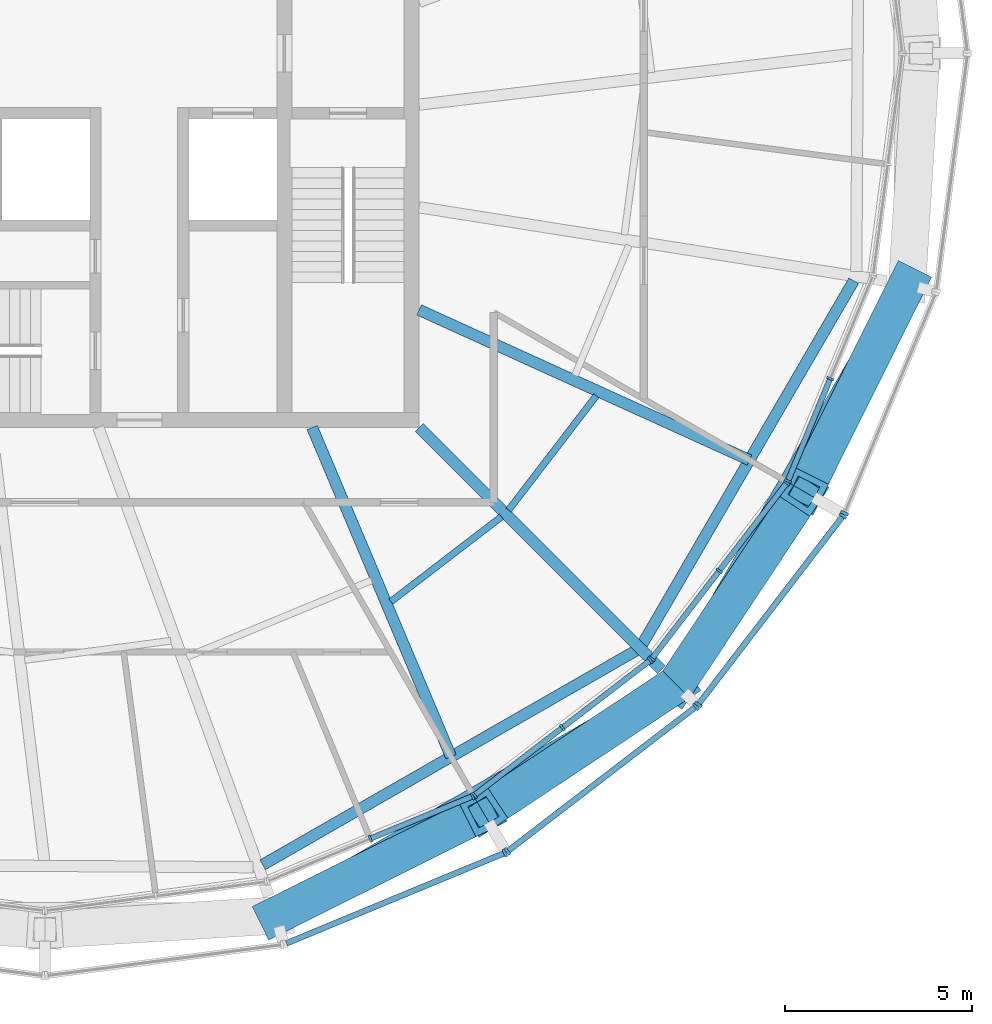
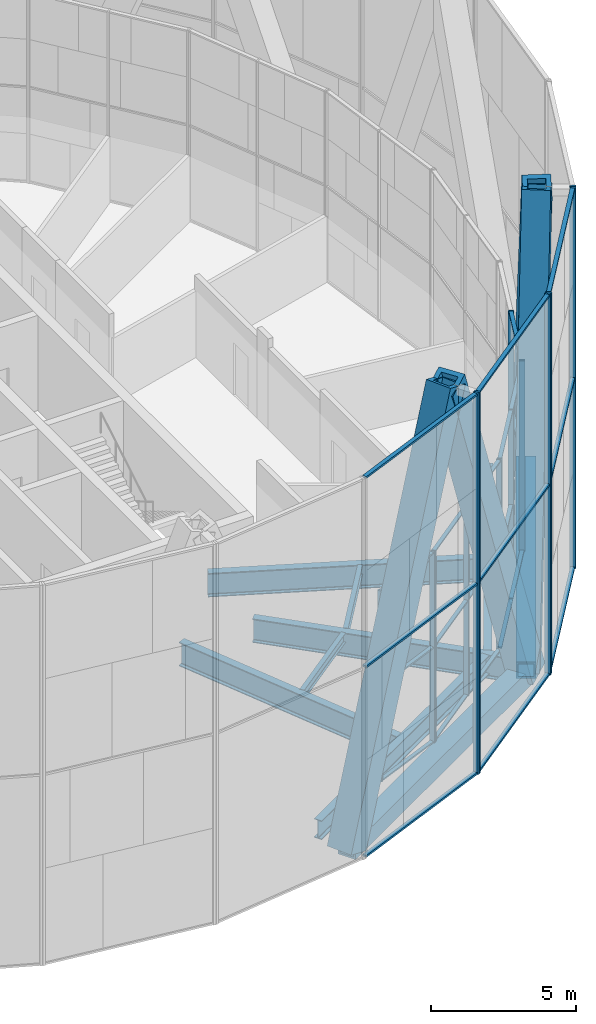
# One storey, part 4 of 23: 47 members, 9 beams, 8 elements without a shape of their own.
"""IFC4 building model written with IfcOpenShell, lengths in metres."""

from ifc_helpers import new_model, si_unit, direction, frame, origin, origin_2d, place, context, subcontext, project, spatial, rectangle, hollow_rectangle, i_section, extrude, material, material_profile, profile_set, type_object, element, aggregate, save


model = new_model("IFC4")

# Units and contexts
model_context = context("Model", 3, precision=1e-05, world=origin(), true_north=direction((0.0, 1.0)))
body_context = subcontext(model_context, "Body", "Model", "MODEL_VIEW")
ifc_project = project(units=[si_unit("LENGTHUNIT", "METRE"), si_unit("AREAUNIT", "SQUARE_METRE"), si_unit("VOLUMEUNIT", "CUBIC_METRE"), si_unit("PLANEANGLEUNIT", "RADIAN"), si_unit("MASSUNIT", "GRAM", prefix="KILO")], contexts=[model_context])

# Site, building, storey
site_placement = place(None, origin())
site = spatial("IfcSite", under=ifc_project, at=site_placement, CompositionType="ELEMENT")
building_placement = place(site_placement, origin())
building = spatial("IfcBuilding", under=site, at=building_placement, Name="Golbaran Civic Tower", CompositionType="ELEMENT")
storey_placement = place(building_placement, frame((0.0, 0.0, 232.0)))
storey = spatial("IfcBuildingStorey", under=building, at=storey_placement, Name="L56", CompositionType="ELEMENT", Elevation=232.0)

# Members
ifc_material_1 = material(Name="Steel S355", Category="steel")
ifc_material_profile_1 = material_profile(ifc_material_1, hollow_rectangle(XDim=1.0, YDim=1.0, WallThickness=0.179931640625, at=origin_2d()), Name="BOX 1000x1000x180")
ifc_profile_set_1 = profile_set([ifc_material_profile_1], Name="Steel S355")
member_type_1 = type_object("IfcMemberType", Name="DIAGRID DIAGONAL BOX 1000x1000x180", PredefinedType="BRACE", material=ifc_profile_set_1)
for number, where, z_axis, x_axis, name in (
    (1, (6.174072265625, -23.042236328125, -0.7099609375), (0.322799502318, 0.160737955962, 0.932718494947), (-0.445744805751, 0.895160079621, 0.0), "Diagonal D13-09R L56-L60"),
    (2, (16.867919921875, -16.867919921875, -0.7099609375), (0.199193188521, 0.300597265987, 0.932718262568), (-0.833589339874, 0.552384659859, 0.0), "Diagonal D13-10R L56-L60"),
    (3, (16.867919921875, -16.867919921875, -0.7099609375), (-0.300597265987, -0.199193188521, 0.932718262568), (0.552384659859, -0.833589339874, 0.0), "Diagonal D13-10L L56-L60"),
    (4, (23.042236328125, -6.174072265625, -0.7099609375), (-0.160737955962, -0.322799502318, 0.932718494947), (0.895160079621, -0.445744805751, 0.0), "Diagonal D13-11L L56-L60"),
):
    element("IfcMember", number, at=place(storey_placement, frame(where, z_axis=z_axis, x_axis=x_axis)), inside=storey, type_object=member_type_1, Name=name, PredefinedType="BRACE", context=body_context, shape_type="SweptSolid", body=[
        extrude(hollow_rectangle(XDim=1.0, YDim=1.0, WallThickness=0.179931640625, at=origin_2d()), origin(), (0.0, 0.0, 1.0), 17.154052734375),
    ])

# Beams
ifc_material_profile_2 = material_profile(ifc_material_1, hollow_rectangle(XDim=0.699951171875, YDim=0.699951171875, WallThickness=0.080078125, at=origin_2d()), Name="BOX 700x700x80")
ifc_profile_set_2 = profile_set([ifc_material_profile_2], Name="Steel S355")
beam_type_1 = type_object("IfcBeamType", Name="DIAGRID RING TIE BOX 700x700x80", PredefinedType="BEAM", material=ifc_profile_set_2)
for number, where, z_axis, x_axis, name in (
    (5, (6.174072265625, -23.042236328125, -0.7099609375), (0.866017668581, 0.500013397526, 0.0), (-0.500013397526, 0.866017668581, 0.0), "Ring tie 285.00 L56"),
    (6, (16.867919921875, -16.867919921875, -0.7099609375), (0.500013397526, 0.866017668581, 0.0), (-0.866017668581, 0.500013397526, 0.0), "Ring tie 315.00 L56"),
):
    element("IfcBeam", number, at=place(storey_placement, frame(where, z_axis=z_axis, x_axis=x_axis)), inside=storey, type_object=beam_type_1, Name=name, PredefinedType="BEAM", context=body_context, shape_type="SweptSolid", body=[
        extrude(hollow_rectangle(XDim=0.699951171875, YDim=0.699951171875, WallThickness=0.080078125, at=origin_2d()), origin(), (0.0, 0.0, 1.0), 12.348388671875),
    ])
ifc_material_profile_3 = material_profile(ifc_material_1, i_section(OverallWidth=0.300048828125, OverallDepth=0.800048828125, WebThickness=0.017578125, FlangeThickness=0.032958984375, FilletRadius=0.030029296875, at=origin_2d()), Name="HEB 800")
ifc_profile_set_3 = profile_set([ifc_material_profile_3], Name="Steel S355")
beam_type_2 = type_object("IfcBeamType", Name="EDGE BEAM HEB 800", PredefinedType="BEAM", material=ifc_profile_set_3)
beam_1_placement = place(storey_placement, frame((5.81884765625, -21.685791015625, -0.60009765625), z_axis=(0.86735383621, 0.49769199593, 0.0), x_axis=(-0.49769199593, 0.86735383621, 0.0)))
element("IfcBeam", 7, at=beam_1_placement, inside=storey, type_object=beam_type_2, Name="Edge beam 285.00 L56", PredefinedType="BEAM", context=body_context, shape_type="SweptSolid", body=[
    extrude(i_section(OverallWidth=0.300048828125, OverallDepth=0.800048828125, WebThickness=0.017578125, FlangeThickness=0.032958984375, FilletRadius=0.030029296875, at=origin_2d()), origin(), (0.0, 0.0, 1.0), 11.489013671875),
])
beam_2_placement = place(storey_placement, frame((15.96826171875, -15.784423828125, -0.60009765625), z_axis=(0.502784867429, 0.864411578523, 0.0), x_axis=(-0.864411578523, 0.502784867429, 0.0)))
element("IfcBeam", 8, at=beam_2_placement, inside=storey, type_object=beam_type_2, Name="Edge beam 315.00 L56", PredefinedType="BEAM", context=body_context, shape_type="SweptSolid", body=[
    extrude(i_section(OverallWidth=0.300048828125, OverallDepth=0.800048828125, WebThickness=0.017578125, FlangeThickness=0.032958984375, FilletRadius=0.030029296875, at=origin_2d()), origin(), (0.0, 0.0, 1.0), 11.2265625),
])
ifc_material_profile_4 = material_profile(ifc_material_1, i_section(OverallWidth=0.179931640625, OverallDepth=0.39990234375, WebThickness=0.008544921875, FlangeThickness=0.013427734375, FilletRadius=0.02099609375, at=origin_2d()), Name="IPE 400")
ifc_profile_set_4 = profile_set([ifc_material_profile_4], Name="Steel S355")
beam_type_3 = type_object("IfcBeamType", Name="FLOOR INFILL BEAM IPE 400", PredefinedType="BEAM", material=ifc_profile_set_4)
beam_3_placement = place(storey_placement, frame((9.24560546875, -14.65185546875, -0.39990234375), z_axis=(0.793376318056, 0.608731482633, 0.0), x_axis=(-0.608731482633, 0.793376318056, 0.0)))
element("IfcBeam", 9, at=beam_3_placement, inside=storey, type_object=beam_type_3, Name="Infill beam 307.50 L56", PredefinedType="BEAM", context=body_context, shape_type="SweptSolid", body=[
    extrude(i_section(OverallWidth=0.179931640625, OverallDepth=0.39990234375, WebThickness=0.008544921875, FlangeThickness=0.013427734375, FilletRadius=0.02099609375, at=origin_2d()), origin(), (0.0, 0.0, 1.0), 3.724609375),
])
beam_4_placement = place(storey_placement, frame((12.390625, -12.206787109375, -0.39990234375), z_axis=(0.608769599383, 0.793347070876, 0.0), x_axis=(-0.793347070876, 0.608769599383, 0.0)))
element("IfcBeam", 10, at=beam_4_placement, inside=storey, type_object=beam_type_3, Name="Infill beam 322.50 L56", PredefinedType="BEAM", context=body_context, shape_type="SweptSolid", body=[
    extrude(i_section(OverallWidth=0.179931640625, OverallDepth=0.39990234375, WebThickness=0.008544921875, FlangeThickness=0.013427734375, FilletRadius=0.02099609375, at=origin_2d()), origin(), (0.0, 0.0, 1.0), 3.850341796875),
])

# Curtain wall, members
ifc_material_2 = material(Name="Aluminium and glass", Category="aluminium")
curtain_wall_type_1 = type_object("IfcCurtainWallType", Name="INNER SKIN CURTAIN WALL EXECUTIVE", PredefinedType="NOTDEFINED", material=ifc_material_2)
curtain_wall_1_placement = place(storey_placement, origin())
curtain_wall_1 = element("IfcCurtainWall", 11, at=curtain_wall_1_placement, inside=storey, type_object=curtain_wall_type_1, Name="Inner skin L56 facet 20 CW2", ObjectType="INNER SKIN", PredefinedType="USERDEFINED")
ifc_material_3 = material(Name="Aluminium", Category="aluminium")
ifc_material_profile_5 = material_profile(ifc_material_3, rectangle(XDim=0.199951171875, YDim=0.06005859375, at=origin_2d()), Name="INNER SKIN CURTAIN WALL EXECUTIVE MULLION")
ifc_profile_set_5 = profile_set([ifc_material_profile_5], Name="Aluminium")
member_type_2 = type_object("IfcMemberType", Name="INNER SKIN CURTAIN WALL EXECUTIVE MULLION", PredefinedType="MULLION", material=ifc_profile_set_5)
member_1_placement = place(storey_placement, frame((8.693359375, -20.98779296875, 0.0), z_axis=(0.0, 0.0, 1.0), x_axis=(-0.382683432365, 0.923879532511, 0.0)))
member_1 = element("IfcMember", 12, at=member_1_placement, type_object=member_type_2, Name="CW2 mullion 2", PredefinedType="MULLION", context=body_context, shape_type="SweptSolid", body=[
    extrude(rectangle(XDim=0.199951171875, YDim=0.06005859375, at=origin_2d()), origin(), (0.0, 0.0, 1.0), 8.0),
])
member_2_placement = place(storey_placement, frame((11.4287109375, -19.854736328125, 0.0), z_axis=(0.0, 0.0, 1.0), x_axis=(-0.382683432365, 0.923879532511, 0.0)))
member_2 = element("IfcMember", 13, at=member_2_placement, type_object=member_type_2, Name="CW2 mullion 3", PredefinedType="MULLION", context=body_context, shape_type="SweptSolid", body=[
    extrude(rectangle(XDim=0.199951171875, YDim=0.06005859375, at=origin_2d()), origin(), (0.0, 0.0, 1.0), 8.0),
])

curtain_wall_2_placement = place(storey_placement, origin())
curtain_wall_2 = element("IfcCurtainWall", 14, at=curtain_wall_2_placement, inside=storey, type_object=curtain_wall_type_1, Name="Inner skin L56 facet 21 CW2", ObjectType="INNER SKIN", PredefinedType="USERDEFINED")
member_3_placement = place(storey_placement, frame((11.480224609375, -19.824951171875, 0.0), z_axis=(0.0, 0.0, 1.0), x_axis=(-0.608761429078, 0.793353340238, 0.0)))
member_3 = element("IfcMember", 15, at=member_3_placement, type_object=member_type_2, Name="CW2 mullion 1", PredefinedType="MULLION", context=body_context, shape_type="SweptSolid", body=[
    extrude(rectangle(XDim=0.199951171875, YDim=0.06005859375, at=origin_2d()), origin(), (0.0, 0.0, 1.0), 8.0),
])
member_4_placement = place(storey_placement, frame((13.8291015625, -18.022705078125, 0.0), z_axis=(0.0, 0.0, 1.0), x_axis=(-0.608761429078, 0.793353340238, 0.0)))
member_4 = element("IfcMember", 16, at=member_4_placement, type_object=member_type_2, Name="CW2 mullion 2", PredefinedType="MULLION", context=body_context, shape_type="SweptSolid", body=[
    extrude(rectangle(XDim=0.199951171875, YDim=0.06005859375, at=origin_2d()), origin(), (0.0, 0.0, 1.0), 8.0),
])
member_5_placement = place(storey_placement, frame((16.17822265625, -16.22021484375, 0.0), z_axis=(0.0, 0.0, 1.0), x_axis=(-0.608761429078, 0.793353340238, 0.0)))
member_5 = element("IfcMember", 17, at=member_5_placement, type_object=member_type_2, Name="CW2 mullion 3", PredefinedType="MULLION", context=body_context, shape_type="SweptSolid", body=[
    extrude(rectangle(XDim=0.199951171875, YDim=0.06005859375, at=origin_2d()), origin(), (0.0, 0.0, 1.0), 8.0),
])

curtain_wall_3_placement = place(storey_placement, origin())
curtain_wall_3 = element("IfcCurtainWall", 18, at=curtain_wall_3_placement, inside=storey, type_object=curtain_wall_type_1, Name="Inner skin L56 facet 22 CW2", ObjectType="INNER SKIN", PredefinedType="USERDEFINED")
member_6_placement = place(storey_placement, frame((16.22021484375, -16.17822265625, 0.0), z_axis=(0.0, 0.0, 1.0), x_axis=(-0.793353340238, 0.608761429078, 0.0)))
member_6 = element("IfcMember", 19, at=member_6_placement, type_object=member_type_2, Name="CW2 mullion 1", PredefinedType="MULLION", context=body_context, shape_type="SweptSolid", body=[
    extrude(rectangle(XDim=0.199951171875, YDim=0.06005859375, at=origin_2d()), origin(), (0.0, 0.0, 1.0), 8.0),
])
member_7_placement = place(storey_placement, frame((18.022705078125, -13.8291015625, 0.0), z_axis=(0.0, 0.0, 1.0), x_axis=(-0.793353340238, 0.608761429078, 0.0)))
member_7 = element("IfcMember", 20, at=member_7_placement, type_object=member_type_2, Name="CW2 mullion 2", PredefinedType="MULLION", context=body_context, shape_type="SweptSolid", body=[
    extrude(rectangle(XDim=0.199951171875, YDim=0.06005859375, at=origin_2d()), origin(), (0.0, 0.0, 1.0), 8.0),
])
member_8_placement = place(storey_placement, frame((19.824951171875, -11.480224609375, 0.0), z_axis=(0.0, 0.0, 1.0), x_axis=(-0.793353340238, 0.608761429078, 0.0)))
member_8 = element("IfcMember", 21, at=member_8_placement, type_object=member_type_2, Name="CW2 mullion 3", PredefinedType="MULLION", context=body_context, shape_type="SweptSolid", body=[
    extrude(rectangle(XDim=0.199951171875, YDim=0.06005859375, at=origin_2d()), origin(), (0.0, 0.0, 1.0), 8.0),
])

curtain_wall_4_placement = place(storey_placement, origin())
curtain_wall_4 = element("IfcCurtainWall", 22, at=curtain_wall_4_placement, inside=storey, type_object=curtain_wall_type_1, Name="Inner skin L56 facet 23 CW2", ObjectType="INNER SKIN", PredefinedType="USERDEFINED")
member_9_placement = place(storey_placement, frame((19.854736328125, -11.4287109375, 0.0), z_axis=(0.0, 0.0, 1.0), x_axis=(-0.923879532511, 0.382683432365, 0.0)))
member_9 = element("IfcMember", 23, at=member_9_placement, type_object=member_type_2, Name="CW2 mullion 1", PredefinedType="MULLION", context=body_context, shape_type="SweptSolid", body=[
    extrude(rectangle(XDim=0.199951171875, YDim=0.06005859375, at=origin_2d()), origin(), (0.0, 0.0, 1.0), 8.0),
])
member_10_placement = place(storey_placement, frame((20.98779296875, -8.693359375, 0.0), z_axis=(0.0, 0.0, 1.0), x_axis=(-0.923879532511, 0.382683432365, 0.0)))
member_10 = element("IfcMember", 24, at=member_10_placement, type_object=member_type_2, Name="CW2 mullion 2", PredefinedType="MULLION", context=body_context, shape_type="SweptSolid", body=[
    extrude(rectangle(XDim=0.199951171875, YDim=0.06005859375, at=origin_2d()), origin(), (0.0, 0.0, 1.0), 8.0),
])

# Member
ifc_material_profile_6 = material_profile(ifc_material_3, rectangle(XDim=0.14990234375, YDim=0.06005859375, at=origin_2d()), Name="INNER SKIN CURTAIN WALL EXECUTIVE TRANSOM")
ifc_profile_set_6 = profile_set([ifc_material_profile_6], Name="Aluminium")
member_type_3 = type_object("IfcMemberType", Name="INNER SKIN CURTAIN WALL EXECUTIVE TRANSOM", PredefinedType="USERDEFINED", material=ifc_profile_set_6)
member_11_placement = place(storey_placement, frame((8.72119140625, -20.976318359375, 0.030029296875), z_axis=(0.923874243896, 0.382696199963, 0.0), x_axis=(-0.382696199963, 0.923874243896, 0.0)))
member_11 = element("IfcMember", 25, at=member_11_placement, type_object=member_type_3, Name="CW2 transom 2.1", ObjectType="TRANSOM", PredefinedType="USERDEFINED", context=body_context, shape_type="SweptSolid", body=[
    extrude(rectangle(XDim=0.14990234375, YDim=0.06005859375, at=origin_2d()), origin(), (0.0, 0.0, 1.0), 2.900634765625),
])

member_12_placement = place(storey_placement, frame((8.72119140625, -20.976318359375, 4.0), z_axis=(0.923874243896, 0.382696199963, 0.0), x_axis=(-0.382696199963, 0.923874243896, 0.0)))
member_12 = element("IfcMember", 26, at=member_12_placement, type_object=member_type_3, Name="CW2 transom 2.2", ObjectType="TRANSOM", PredefinedType="USERDEFINED", context=body_context, shape_type="SweptSolid", body=[
    extrude(rectangle(XDim=0.14990234375, YDim=0.06005859375, at=origin_2d()), origin(), (0.0, 0.0, 1.0), 2.900634765625),
])

member_13_placement = place(storey_placement, frame((8.72119140625, -20.976318359375, 7.969970703125), z_axis=(0.923874243896, 0.382696199963, 0.0), x_axis=(-0.382696199963, 0.923874243896, 0.0)))
member_13 = element("IfcMember", 27, at=member_13_placement, type_object=member_type_3, Name="CW2 transom 2.3", ObjectType="TRANSOM", PredefinedType="USERDEFINED", context=body_context, shape_type="SweptSolid", body=[
    extrude(rectangle(XDim=0.14990234375, YDim=0.06005859375, at=origin_2d()), origin(), (0.0, 0.0, 1.0), 2.900634765625),
])

aggregate(curtain_wall_1, [member_1, member_2, member_11, member_12, member_13])

member_14_placement = place(storey_placement, frame((11.504150390625, -19.806640625, 0.030029296875), z_axis=(0.793346193695, 0.608770742521, 0.0), x_axis=(-0.608770742521, 0.793346193695, 0.0)))
member_14 = element("IfcMember", 28, at=member_14_placement, type_object=member_type_3, Name="CW2 transom 1.1", ObjectType="TRANSOM", PredefinedType="USERDEFINED", context=body_context, shape_type="SweptSolid", body=[
    extrude(rectangle(XDim=0.14990234375, YDim=0.06005859375, at=origin_2d()), origin(), (0.0, 0.0, 1.0), 2.900634765625),
])

member_15_placement = place(storey_placement, frame((11.504150390625, -19.806640625, 4.0), z_axis=(0.793346193695, 0.608770742521, 0.0), x_axis=(-0.608770742521, 0.793346193695, 0.0)))
member_15 = element("IfcMember", 29, at=member_15_placement, type_object=member_type_3, Name="CW2 transom 1.2", ObjectType="TRANSOM", PredefinedType="USERDEFINED", context=body_context, shape_type="SweptSolid", body=[
    extrude(rectangle(XDim=0.14990234375, YDim=0.06005859375, at=origin_2d()), origin(), (0.0, 0.0, 1.0), 2.900634765625),
])

member_16_placement = place(storey_placement, frame((11.504150390625, -19.806640625, 7.969970703125), z_axis=(0.793346193695, 0.608770742521, 0.0), x_axis=(-0.608770742521, 0.793346193695, 0.0)))
member_16 = element("IfcMember", 30, at=member_16_placement, type_object=member_type_3, Name="CW2 transom 1.3", ObjectType="TRANSOM", PredefinedType="USERDEFINED", context=body_context, shape_type="SweptSolid", body=[
    extrude(rectangle(XDim=0.14990234375, YDim=0.06005859375, at=origin_2d()), origin(), (0.0, 0.0, 1.0), 2.900634765625),
])

member_17_placement = place(storey_placement, frame((13.85302734375, -18.00439453125, 0.030029296875), z_axis=(0.793346193695, 0.608770742521, 0.0), x_axis=(-0.608770742521, 0.793346193695, 0.0)))
member_17 = element("IfcMember", 31, at=member_17_placement, type_object=member_type_3, Name="CW2 transom 2.1", ObjectType="TRANSOM", PredefinedType="USERDEFINED", context=body_context, shape_type="SweptSolid", body=[
    extrude(rectangle(XDim=0.14990234375, YDim=0.06005859375, at=origin_2d()), origin(), (0.0, 0.0, 1.0), 2.900634765625),
])

member_18_placement = place(storey_placement, frame((13.85302734375, -18.00439453125, 4.0), z_axis=(0.793346193695, 0.608770742521, 0.0), x_axis=(-0.608770742521, 0.793346193695, 0.0)))
member_18 = element("IfcMember", 32, at=member_18_placement, type_object=member_type_3, Name="CW2 transom 2.2", ObjectType="TRANSOM", PredefinedType="USERDEFINED", context=body_context, shape_type="SweptSolid", body=[
    extrude(rectangle(XDim=0.14990234375, YDim=0.06005859375, at=origin_2d()), origin(), (0.0, 0.0, 1.0), 2.900634765625),
])

member_19_placement = place(storey_placement, frame((13.85302734375, -18.00439453125, 7.969970703125), z_axis=(0.793346193695, 0.608770742521, 0.0), x_axis=(-0.608770742521, 0.793346193695, 0.0)))
member_19 = element("IfcMember", 33, at=member_19_placement, type_object=member_type_3, Name="CW2 transom 2.3", ObjectType="TRANSOM", PredefinedType="USERDEFINED", context=body_context, shape_type="SweptSolid", body=[
    extrude(rectangle(XDim=0.14990234375, YDim=0.06005859375, at=origin_2d()), origin(), (0.0, 0.0, 1.0), 2.900634765625),
])

aggregate(curtain_wall_2, [member_3, member_4, member_5, member_14, member_15, member_16, member_17, member_18, member_19])

member_20_placement = place(storey_placement, frame((16.238525390625, -16.154296875, 0.030029296875), z_axis=(0.608770742521, 0.793346193695, 0.0), x_axis=(-0.793346193695, 0.608770742521, 0.0)))
member_20 = element("IfcMember", 34, at=member_20_placement, type_object=member_type_3, Name="CW2 transom 1.1", ObjectType="TRANSOM", PredefinedType="USERDEFINED", context=body_context, shape_type="SweptSolid", body=[
    extrude(rectangle(XDim=0.14990234375, YDim=0.06005859375, at=origin_2d()), origin(), (0.0, 0.0, 1.0), 2.900634765625),
])

member_21_placement = place(storey_placement, frame((16.238525390625, -16.154296875, 4.0), z_axis=(0.608770742521, 0.793346193695, 0.0), x_axis=(-0.793346193695, 0.608770742521, 0.0)))
member_21 = element("IfcMember", 35, at=member_21_placement, type_object=member_type_3, Name="CW2 transom 1.2", ObjectType="TRANSOM", PredefinedType="USERDEFINED", context=body_context, shape_type="SweptSolid", body=[
    extrude(rectangle(XDim=0.14990234375, YDim=0.06005859375, at=origin_2d()), origin(), (0.0, 0.0, 1.0), 2.900634765625),
])

member_22_placement = place(storey_placement, frame((16.238525390625, -16.154296875, 7.969970703125), z_axis=(0.608770742521, 0.793346193695, 0.0), x_axis=(-0.793346193695, 0.608770742521, 0.0)))
member_22 = element("IfcMember", 36, at=member_22_placement, type_object=member_type_3, Name="CW2 transom 1.3", ObjectType="TRANSOM", PredefinedType="USERDEFINED", context=body_context, shape_type="SweptSolid", body=[
    extrude(rectangle(XDim=0.14990234375, YDim=0.06005859375, at=origin_2d()), origin(), (0.0, 0.0, 1.0), 2.900634765625),
])

member_23_placement = place(storey_placement, frame((18.040771484375, -13.805419921875, 0.030029296875), z_axis=(0.608770742521, 0.793346193695, 0.0), x_axis=(-0.793346193695, 0.608770742521, 0.0)))
member_23 = element("IfcMember", 37, at=member_23_placement, type_object=member_type_3, Name="CW2 transom 2.1", ObjectType="TRANSOM", PredefinedType="USERDEFINED", context=body_context, shape_type="SweptSolid", body=[
    extrude(rectangle(XDim=0.14990234375, YDim=0.06005859375, at=origin_2d()), origin(), (0.0, 0.0, 1.0), 2.900634765625),
])

member_24_placement = place(storey_placement, frame((18.040771484375, -13.805419921875, 4.0), z_axis=(0.608770742521, 0.793346193695, 0.0), x_axis=(-0.793346193695, 0.608770742521, 0.0)))
member_24 = element("IfcMember", 38, at=member_24_placement, type_object=member_type_3, Name="CW2 transom 2.2", ObjectType="TRANSOM", PredefinedType="USERDEFINED", context=body_context, shape_type="SweptSolid", body=[
    extrude(rectangle(XDim=0.14990234375, YDim=0.06005859375, at=origin_2d()), origin(), (0.0, 0.0, 1.0), 2.900634765625),
])

member_25_placement = place(storey_placement, frame((18.040771484375, -13.805419921875, 7.969970703125), z_axis=(0.608770742521, 0.793346193695, 0.0), x_axis=(-0.793346193695, 0.608770742521, 0.0)))
member_25 = element("IfcMember", 39, at=member_25_placement, type_object=member_type_3, Name="CW2 transom 2.3", ObjectType="TRANSOM", PredefinedType="USERDEFINED", context=body_context, shape_type="SweptSolid", body=[
    extrude(rectangle(XDim=0.14990234375, YDim=0.06005859375, at=origin_2d()), origin(), (0.0, 0.0, 1.0), 2.900634765625),
])

aggregate(curtain_wall_3, [member_6, member_7, member_8, member_20, member_21, member_22, member_23, member_24, member_25])

member_26_placement = place(storey_placement, frame((19.8662109375, -11.401123046875, 0.030029296875), z_axis=(0.382696199963, 0.923874243896, 0.0), x_axis=(-0.923874243896, 0.382696199963, 0.0)))
member_26 = element("IfcMember", 40, at=member_26_placement, type_object=member_type_3, Name="CW2 transom 1.1", ObjectType="TRANSOM", PredefinedType="USERDEFINED", context=body_context, shape_type="SweptSolid", body=[
    extrude(rectangle(XDim=0.14990234375, YDim=0.06005859375, at=origin_2d()), origin(), (0.0, 0.0, 1.0), 2.900634765625),
])

member_27_placement = place(storey_placement, frame((19.8662109375, -11.401123046875, 4.0), z_axis=(0.382696199963, 0.923874243896, 0.0), x_axis=(-0.923874243896, 0.382696199963, 0.0)))
member_27 = element("IfcMember", 41, at=member_27_placement, type_object=member_type_3, Name="CW2 transom 1.2", ObjectType="TRANSOM", PredefinedType="USERDEFINED", context=body_context, shape_type="SweptSolid", body=[
    extrude(rectangle(XDim=0.14990234375, YDim=0.06005859375, at=origin_2d()), origin(), (0.0, 0.0, 1.0), 2.900634765625),
])

member_28_placement = place(storey_placement, frame((19.8662109375, -11.401123046875, 7.969970703125), z_axis=(0.382696199963, 0.923874243896, 0.0), x_axis=(-0.923874243896, 0.382696199963, 0.0)))
member_28 = element("IfcMember", 42, at=member_28_placement, type_object=member_type_3, Name="CW2 transom 1.3", ObjectType="TRANSOM", PredefinedType="USERDEFINED", context=body_context, shape_type="SweptSolid", body=[
    extrude(rectangle(XDim=0.14990234375, YDim=0.06005859375, at=origin_2d()), origin(), (0.0, 0.0, 1.0), 2.900634765625),
])

aggregate(curtain_wall_4, [member_9, member_10, member_26, member_27, member_28])

# Curtain wall, member
curtain_wall_type_2 = type_object("IfcCurtainWallType", Name="OUTER SKIN TERRACOTTA SCREEN", PredefinedType="NOTDEFINED", material=ifc_material_2)
curtain_wall_5_placement = place(storey_placement, origin())
curtain_wall_5 = element("IfcCurtainWall", 43, at=curtain_wall_5_placement, inside=storey, type_object=curtain_wall_type_2, Name="Outer skin L56 facet 20 CW3", ObjectType="OUTER SKIN", PredefinedType="USERDEFINED")
ifc_material_profile_7 = material_profile(ifc_material_3, rectangle(XDim=0.219970703125, YDim=0.080078125, at=origin_2d()), Name="OUTER SKIN TERRACOTTA SCREEN MULLION")
ifc_profile_set_7 = profile_set([ifc_material_profile_7], Name="Aluminium")
member_type_4 = type_object("IfcMemberType", Name="OUTER SKIN TERRACOTTA SCREEN MULLION", PredefinedType="MULLION", material=ifc_profile_set_7)
member_29_placement = place(storey_placement, frame((12.29052734375, -21.3671875, -0.7099609375), z_axis=(0.0, 0.0, 1.0), x_axis=(-0.382683432381, 0.923879532505, 0.0)))
member_29 = element("IfcMember", 44, at=member_29_placement, type_object=member_type_4, Name="CW3 mullion 2", PredefinedType="MULLION", context=body_context, shape_type="SweptSolid", body=[
    extrude(rectangle(XDim=0.219970703125, YDim=0.080078125, at=origin_2d()), origin(), (0.0, 0.0, 1.0), 16.0),
])

# Curtain wall, members
curtain_wall_6_placement = place(storey_placement, origin())
curtain_wall_6 = element("IfcCurtainWall", 45, at=curtain_wall_6_placement, inside=storey, type_object=curtain_wall_type_2, Name="Outer skin L56 facet 21 CW3", ObjectType="OUTER SKIN", PredefinedType="USERDEFINED")
member_30_placement = place(storey_placement, frame((12.359130859375, -21.327392578125, -0.7099609375), z_axis=(0.0, 0.0, 1.0), x_axis=(-0.608761429009, 0.793353340291, 0.0)))
member_30 = element("IfcMember", 46, at=member_30_placement, type_object=member_type_4, Name="CW3 mullion 1", PredefinedType="MULLION", context=body_context, shape_type="SweptSolid", body=[
    extrude(rectangle(XDim=0.219970703125, YDim=0.080078125, at=origin_2d()), origin(), (0.0, 0.0, 1.0), 16.0),
])
member_31_placement = place(storey_placement, frame((17.402099609375, -17.4580078125, -0.7099609375), z_axis=(0.0, 0.0, 1.0), x_axis=(-0.608761429009, 0.793353340291, 0.0)))
member_31 = element("IfcMember", 47, at=member_31_placement, type_object=member_type_4, Name="CW3 mullion 2", PredefinedType="MULLION", context=body_context, shape_type="SweptSolid", body=[
    extrude(rectangle(XDim=0.219970703125, YDim=0.080078125, at=origin_2d()), origin(), (0.0, 0.0, 1.0), 16.0),
])

curtain_wall_7_placement = place(storey_placement, origin())
curtain_wall_7 = element("IfcCurtainWall", 48, at=curtain_wall_7_placement, inside=storey, type_object=curtain_wall_type_2, Name="Outer skin L56 facet 22 CW3", ObjectType="OUTER SKIN", PredefinedType="USERDEFINED")
member_32_placement = place(storey_placement, frame((17.4580078125, -17.402099609375, -0.7099609375), z_axis=(0.0, 0.0, 1.0), x_axis=(-0.793353340291, 0.608761429009, 0.0)))
member_32 = element("IfcMember", 49, at=member_32_placement, type_object=member_type_4, Name="CW3 mullion 1", PredefinedType="MULLION", context=body_context, shape_type="SweptSolid", body=[
    extrude(rectangle(XDim=0.219970703125, YDim=0.080078125, at=origin_2d()), origin(), (0.0, 0.0, 1.0), 16.0),
])
member_33_placement = place(storey_placement, frame((21.327392578125, -12.359130859375, -0.7099609375), z_axis=(0.0, 0.0, 1.0), x_axis=(-0.793353340291, 0.608761429009, 0.0)))
member_33 = element("IfcMember", 50, at=member_33_placement, type_object=member_type_4, Name="CW3 mullion 2", PredefinedType="MULLION", context=body_context, shape_type="SweptSolid", body=[
    extrude(rectangle(XDim=0.219970703125, YDim=0.080078125, at=origin_2d()), origin(), (0.0, 0.0, 1.0), 16.0),
])

# Curtain wall, member
curtain_wall_8_placement = place(storey_placement, origin())
curtain_wall_8 = element("IfcCurtainWall", 51, at=curtain_wall_8_placement, inside=storey, type_object=curtain_wall_type_2, Name="Outer skin L56 facet 23 CW3", ObjectType="OUTER SKIN", PredefinedType="USERDEFINED")
member_34_placement = place(storey_placement, frame((21.3671875, -12.29052734375, -0.7099609375), z_axis=(0.0, 0.0, 1.0), x_axis=(-0.923879532505, 0.382683432381, 0.0)))
member_34 = element("IfcMember", 52, at=member_34_placement, type_object=member_type_4, Name="CW3 mullion 1", PredefinedType="MULLION", context=body_context, shape_type="SweptSolid", body=[
    extrude(rectangle(XDim=0.219970703125, YDim=0.080078125, at=origin_2d()), origin(), (0.0, 0.0, 1.0), 16.0),
])
aggregate(curtain_wall_8, [member_34])

# Member
ifc_material_profile_8 = material_profile(ifc_material_3, rectangle(XDim=0.159912109375, YDim=0.080078125, at=origin_2d()), Name="OUTER SKIN TERRACOTTA SCREEN TRANSOM")
ifc_profile_set_8 = profile_set([ifc_material_profile_8], Name="Aluminium")
member_type_5 = type_object("IfcMemberType", Name="OUTER SKIN TERRACOTTA SCREEN TRANSOM", PredefinedType="USERDEFINED", material=ifc_profile_set_8)
member_35_placement = place(storey_placement, frame((6.455078125, -23.7841796875, -0.669921875), z_axis=(0.923893096707, 0.382650683858, 0.0), x_axis=(-0.382650683858, 0.923893096707, 0.0)))
member_35 = element("IfcMember", 53, at=member_35_placement, type_object=member_type_5, Name="CW3 transom 1.1", ObjectType="TRANSOM", PredefinedType="USERDEFINED", context=body_context, shape_type="SweptSolid", body=[
    extrude(rectangle(XDim=0.159912109375, YDim=0.080078125, at=origin_2d()), origin(), (0.0, 0.0, 1.0), 6.2763671875),
])

member_36_placement = place(storey_placement, frame((6.455078125, -23.7841796875, 7.2900390625), z_axis=(0.923893096707, 0.382650683858, 0.0), x_axis=(-0.382650683858, 0.923893096707, 0.0)))
member_36 = element("IfcMember", 54, at=member_36_placement, type_object=member_type_5, Name="CW3 transom 1.2", ObjectType="TRANSOM", PredefinedType="USERDEFINED", context=body_context, shape_type="SweptSolid", body=[
    extrude(rectangle(XDim=0.159912109375, YDim=0.080078125, at=origin_2d()), origin(), (0.0, 0.0, 1.0), 6.2763671875),
])

member_37_placement = place(storey_placement, frame((6.455078125, -23.7841796875, 15.25), z_axis=(0.923893096707, 0.382650683858, 0.0), x_axis=(-0.382650683858, 0.923893096707, 0.0)))
member_37 = element("IfcMember", 55, at=member_37_placement, type_object=member_type_5, Name="CW3 transom 1.3", ObjectType="TRANSOM", PredefinedType="USERDEFINED", context=body_context, shape_type="SweptSolid", body=[
    extrude(rectangle(XDim=0.159912109375, YDim=0.080078125, at=origin_2d()), origin(), (0.0, 0.0, 1.0), 6.2763671875),
])

aggregate(curtain_wall_5, [member_29, member_35, member_36, member_37])

member_38_placement = place(storey_placement, frame((12.390869140625, -21.30322265625, -0.669921875), z_axis=(0.793360878144, 0.608751605362, 0.0), x_axis=(-0.608751605362, 0.793360878144, 0.0)))
member_38 = element("IfcMember", 56, at=member_38_placement, type_object=member_type_5, Name="CW3 transom 1.1", ObjectType="TRANSOM", PredefinedType="USERDEFINED", context=body_context, shape_type="SweptSolid", body=[
    extrude(rectangle(XDim=0.159912109375, YDim=0.080078125, at=origin_2d()), origin(), (0.0, 0.0, 1.0), 6.2763671875),
])

member_39_placement = place(storey_placement, frame((12.390869140625, -21.30322265625, 7.2900390625), z_axis=(0.793360878144, 0.608751605362, 0.0), x_axis=(-0.608751605362, 0.793360878144, 0.0)))
member_39 = element("IfcMember", 57, at=member_39_placement, type_object=member_type_5, Name="CW3 transom 1.2", ObjectType="TRANSOM", PredefinedType="USERDEFINED", context=body_context, shape_type="SweptSolid", body=[
    extrude(rectangle(XDim=0.159912109375, YDim=0.080078125, at=origin_2d()), origin(), (0.0, 0.0, 1.0), 6.2763671875),
])

member_40_placement = place(storey_placement, frame((12.390869140625, -21.30322265625, 15.25), z_axis=(0.793360878144, 0.608751605362, 0.0), x_axis=(-0.608751605362, 0.793360878144, 0.0)))
member_40 = element("IfcMember", 58, at=member_40_placement, type_object=member_type_5, Name="CW3 transom 1.3", ObjectType="TRANSOM", PredefinedType="USERDEFINED", context=body_context, shape_type="SweptSolid", body=[
    extrude(rectangle(XDim=0.159912109375, YDim=0.080078125, at=origin_2d()), origin(), (0.0, 0.0, 1.0), 6.2763671875),
])

aggregate(curtain_wall_6, [member_30, member_31, member_38, member_39, member_40])

member_41_placement = place(storey_placement, frame((17.482421875, -17.370361328125, -0.669921875), z_axis=(0.608751605362, 0.793360878144, 0.0), x_axis=(-0.793360878144, 0.608751605362, 0.0)))
member_41 = element("IfcMember", 59, at=member_41_placement, type_object=member_type_5, Name="CW3 transom 1.1", ObjectType="TRANSOM", PredefinedType="USERDEFINED", context=body_context, shape_type="SweptSolid", body=[
    extrude(rectangle(XDim=0.159912109375, YDim=0.080078125, at=origin_2d()), origin(), (0.0, 0.0, 1.0), 6.2763671875),
])

member_42_placement = place(storey_placement, frame((17.482421875, -17.370361328125, 7.2900390625), z_axis=(0.608751605362, 0.793360878144, 0.0), x_axis=(-0.793360878144, 0.608751605362, 0.0)))
member_42 = element("IfcMember", 60, at=member_42_placement, type_object=member_type_5, Name="CW3 transom 1.2", ObjectType="TRANSOM", PredefinedType="USERDEFINED", context=body_context, shape_type="SweptSolid", body=[
    extrude(rectangle(XDim=0.159912109375, YDim=0.080078125, at=origin_2d()), origin(), (0.0, 0.0, 1.0), 6.2763671875),
])

member_43_placement = place(storey_placement, frame((17.482421875, -17.370361328125, 15.25), z_axis=(0.608751605362, 0.793360878144, 0.0), x_axis=(-0.793360878144, 0.608751605362, 0.0)))
member_43 = element("IfcMember", 61, at=member_43_placement, type_object=member_type_5, Name="CW3 transom 1.3", ObjectType="TRANSOM", PredefinedType="USERDEFINED", context=body_context, shape_type="SweptSolid", body=[
    extrude(rectangle(XDim=0.159912109375, YDim=0.080078125, at=origin_2d()), origin(), (0.0, 0.0, 1.0), 6.2763671875),
])

aggregate(curtain_wall_7, [member_32, member_33, member_41, member_42, member_43])

# Beams
ifc_material_profile_9 = material_profile(ifc_material_1, i_section(OverallWidth=0.300048828125, OverallDepth=1.0, WebThickness=0.01904296875, FlangeThickness=0.035888671875, FilletRadius=0.030029296875, at=origin_2d()), Name="HEB 1000")
ifc_profile_set_9 = profile_set([ifc_material_profile_9], Name="Steel S355")
beam_type_4 = type_object("IfcBeamType", Name="RADIAL FLOOR BEAM HEB 1000", PredefinedType="BEAM", material=ifc_profile_set_9)
beam_5_placement = place(storey_placement, frame((10.0, -10.0, -0.7099609375), z_axis=(0.707106781187, -0.707106781187, 0.0), x_axis=(0.707106781187, 0.707106781187, 0.0)))
element("IfcBeam", 62, at=beam_5_placement, inside=storey, type_object=beam_type_4, Name="Radial beam 315.00 L56", PredefinedType="BEAM", context=body_context, shape_type="SweptSolid", body=[
    extrude(i_section(OverallWidth=0.300048828125, OverallDepth=1.0, WebThickness=0.01904296875, FlangeThickness=0.035888671875, FilletRadius=0.030029296875, at=origin_2d()), origin(), (0.0, 0.0, 1.0), 9.16162109375),
])
ifc_material_profile_10 = material_profile(ifc_material_1, i_section(OverallWidth=0.300048828125, OverallDepth=1.0, WebThickness=0.01904296875, FlangeThickness=0.035888671875, FilletRadius=0.030029296875, at=origin_2d()), Name="HEB 1000")
ifc_profile_set_10 = profile_set([ifc_material_profile_10], Name="Steel S355")
beam_type_5 = type_object("IfcBeamType", Name="SECONDARY FLOOR BEAM HEB 1000", PredefinedType="BEAM", material=ifc_profile_set_10)
beam_6_placement = place(storey_placement, frame((7.142822265625, -10.0, -0.7099609375), z_axis=(0.388551939239, -0.921426823201, 0.0), x_axis=(0.921426823201, 0.388551939239, 0.0)))
element("IfcBeam", 63, at=beam_6_placement, inside=storey, type_object=beam_type_5, Name="Secondary beam 300.00 L56", PredefinedType="BEAM", context=body_context, shape_type="SweptSolid", body=[
    extrude(i_section(OverallWidth=0.300048828125, OverallDepth=1.0, WebThickness=0.01904296875, FlangeThickness=0.035888671875, FilletRadius=0.030029296875, at=origin_2d()), origin(), (0.0, 0.0, 1.0), 9.547607421875),
])
beam_7_placement = place(storey_placement, frame((10.0, -6.857177734375, -0.7099609375), z_axis=(0.910357854215, -0.413821914922, 0.0), x_axis=(0.413821914922, 0.910357854215, 0.0)))
element("IfcBeam", 64, at=beam_7_placement, inside=storey, type_object=beam_type_5, Name="Secondary beam 330.00 L56", PredefinedType="BEAM", context=body_context, shape_type="SweptSolid", body=[
    extrude(i_section(OverallWidth=0.300048828125, OverallDepth=1.0, WebThickness=0.01904296875, FlangeThickness=0.035888671875, FilletRadius=0.030029296875, at=origin_2d()), origin(), (0.0, 0.0, 1.0), 9.696044921875),
])

save(model, "model.ifc")
